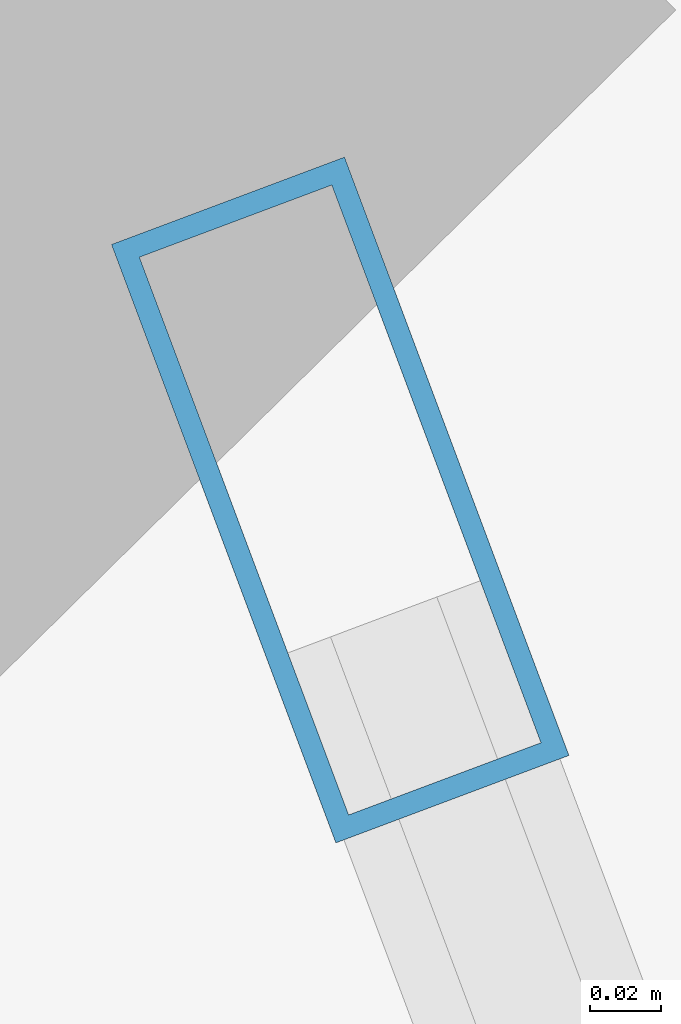
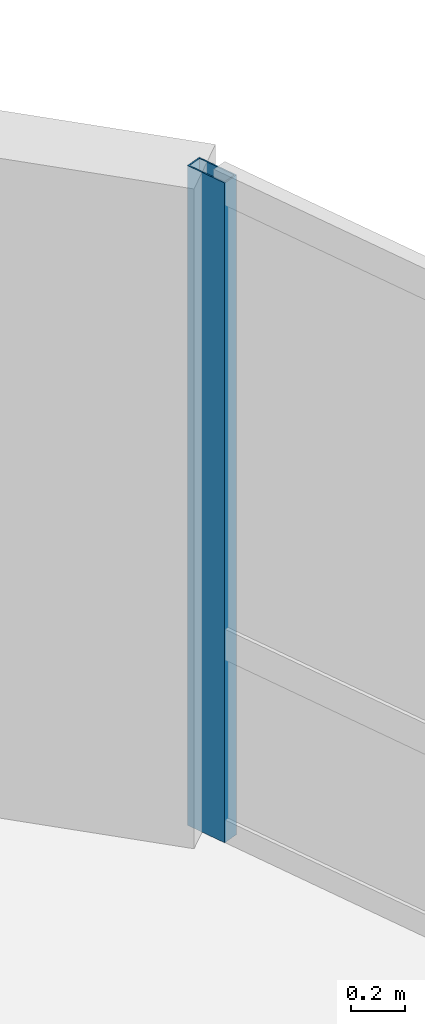
# One storey, part 10 of 17: 1 member, 1 element without a shape of its own.
"""IFC4 building model written with IfcOpenShell, lengths in metres."""

from ifc_helpers import new_model, si_unit, direction, frame, origin, origin_2d, place, context, subcontext, project, spatial, hollow_rectangle, extrude, material, layer, layer_set, material_profile, profile_set, type_object, element, aggregate, save


model = new_model("IFC4")

# Units and contexts
model_context = context("Model", 3, precision=1e-05, world=origin(), true_north=direction((0.0, 1.0)))
body_context = subcontext(model_context, "Body", "Model", "MODEL_VIEW")
ifc_project = project(units=[si_unit("LENGTHUNIT", "METRE"), si_unit("AREAUNIT", "SQUARE_METRE"), si_unit("VOLUMEUNIT", "CUBIC_METRE"), si_unit("PLANEANGLEUNIT", "RADIAN"), si_unit("MASSUNIT", "GRAM", prefix="KILO"), si_unit("THERMODYNAMICTEMPERATUREUNIT", "KELVIN"), si_unit("POWERUNIT", "WATT")], contexts=[model_context])

# Site, building, storey
site_placement = place(None, origin())
site = spatial("IfcSite", under=ifc_project, at=site_placement, CompositionType="ELEMENT")
building_placement = place(site_placement, origin())
building = spatial("IfcBuilding", under=site, at=building_placement, Name="Ocrelia Relay Tower", CompositionType="ELEMENT")
storey_placement = place(building_placement, frame((0.0, 0.0, 63.60009765625)))
storey = spatial("IfcBuildingStorey", under=building, at=storey_placement, Name="L14", CompositionType="ELEMENT", Elevation=63.60009765625)

# Curtain wall, member
ifc_material_1 = material(Name="Aluminium and solar-control low-E glass", Category="aluminium")
ifc_layer = layer(ifc_material_1, 0.179931640625, Name="Aluminium and solar-control low-E glass")
ifc_layer_set = layer_set([ifc_layer], Name="Aluminium and solar-control low-E glass")
curtain_wall_type = type_object("IfcCurtainWallType", Name="CW-SYS-Z1-DATA", PredefinedType="NOTDEFINED", material=ifc_layer_set)
curtain_wall_placement = place(storey_placement, origin())
curtain_wall = element("IfcCurtainWall", 1, at=curtain_wall_placement, inside=storey, type_object=curtain_wall_type, Name="L14 Elliptical Tower Curtain Wall Bay 01", PredefinedType="NOTDEFINED")
ifc_material_2 = material(Name="Anodised bronze aluminium", Category="aluminium")
ifc_material_profile = material_profile(ifc_material_2, hollow_rectangle(XDim=0.070068359375, YDim=0.179931640625, WallThickness=0.006103515625, at=origin_2d()), Name="CW-MUL-180x70")
ifc_profile_set = profile_set([ifc_material_profile], Name="Anodised bronze aluminium")
member_type = type_object("IfcMemberType", Name="CW-SYS-Z1-DATA-MUL", PredefinedType="MULLION", material=ifc_profile_set)
member_placement = place(storey_placement, frame((58.94287109375, 36.643310546875, 0.0), z_axis=(0.0, 0.0, 1.0), x_axis=(-0.936304436743, -0.351189410055, 0.0)))
member = element("IfcMember", 2, at=member_placement, type_object=member_type, Name="CW-Z1 mullion 3", PredefinedType="MULLION", context=body_context, shape_type="SweptSolid", body=[
    extrude(hollow_rectangle(XDim=0.070068359375, YDim=0.179931640625, WallThickness=0.006103515625, at=origin_2d()), origin(), (0.0, 0.0, 1.0), 3.0),
])
aggregate(curtain_wall, [member])

save(model, "model.ifc")
